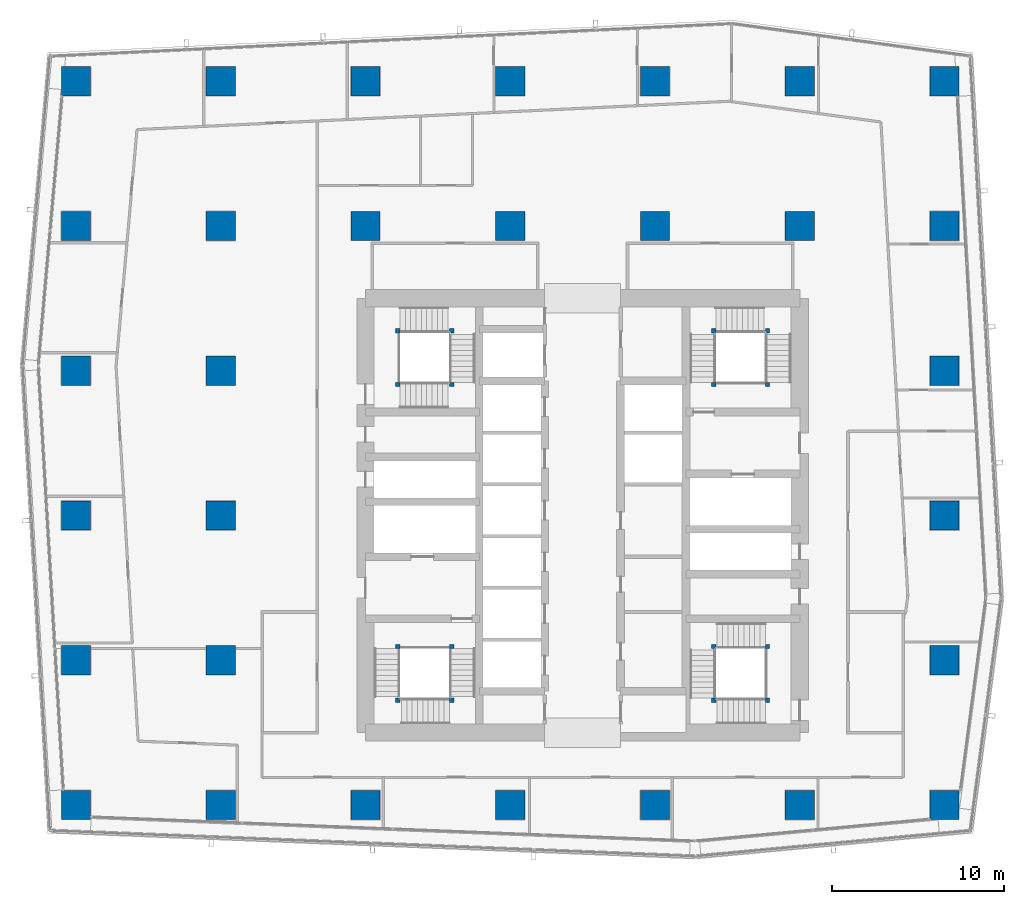
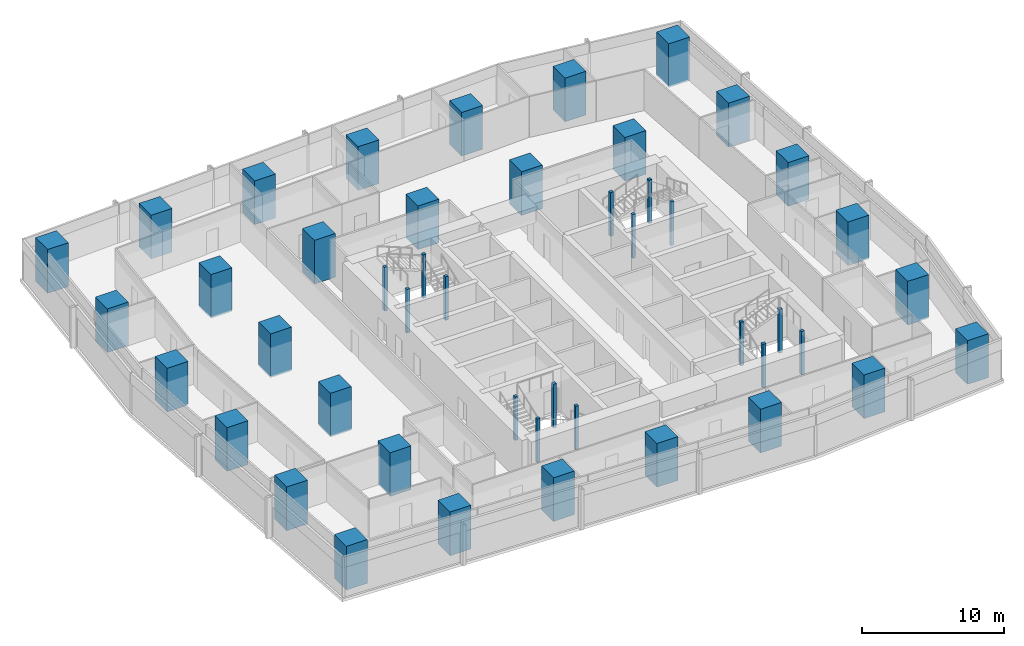
# One storey, part 1 of 39: 46 columns.
"""IFC4 building model written with IfcOpenShell, lengths in metres."""

from ifc_helpers import new_model, si_unit, direction, frame, origin, origin_2d, place, context, subcontext, project, spatial, rectangle, extrude, material, material_profile, profile_set, type_object, element, save


model = new_model("IFC4")

# Units and contexts
model_context = context("Model", 3, precision=1e-05, world=origin(), true_north=direction((0.0, 1.0)))
body_context = subcontext(model_context, "Body", "Model", "MODEL_VIEW")
ifc_project = project(units=[si_unit("LENGTHUNIT", "METRE"), si_unit("AREAUNIT", "SQUARE_METRE"), si_unit("VOLUMEUNIT", "CUBIC_METRE"), si_unit("PLANEANGLEUNIT", "RADIAN"), si_unit("MASSUNIT", "GRAM", prefix="KILO")], contexts=[model_context])

# Site, building, storey
site_placement = place(None, origin())
site = spatial("IfcSite", under=ifc_project, at=site_placement, CompositionType="ELEMENT")
building_placement = place(site_placement, origin())
building = spatial("IfcBuilding", under=site, at=building_placement, Name="Rekha Terrace Tower", CompositionType="ELEMENT")
storey_placement = place(building_placement, frame((0.0, 0.0, 183.949951171875)))
storey = spatial("IfcBuildingStorey", under=building, at=storey_placement, Name="L46", CompositionType="ELEMENT", Elevation=183.949951171875)

# Columns
ifc_material_1 = material(Name="Concrete M70", Category="concrete")
ifc_material_profile_1 = material_profile(ifc_material_1, rectangle(XDim=1.699951171875, YDim=1.699951171875, at=origin_2d()), Name="RC 1700x1700")
ifc_profile_set_1 = profile_set([ifc_material_profile_1], Name="Concrete M70")
column_type_1 = type_object("IfcColumnType", Name="C4C 1700x1700 column", PredefinedType="COLUMN", material=ifc_profile_set_1)
for number, where, z_axis, x_axis, name in (
    (1, (8.39990234375, 16.800048828125, 0.0), (0.0, 0.0, 1.0), (1.0, 0.0, 0.0), "Column C4C 2/C L46"),
    (2, (8.39990234375, 25.199951171875, 0.0), (0.0, 0.0, 1.0), (1.0, 0.0, 0.0), "Column C4C 2/D L46"),
    (3, (8.39990234375, 33.60009765625, 0.0), (0.0, 0.0, 1.0), (1.0, 0.0, 0.0), "Column C4C 2/E L46"),
    (4, (8.39990234375, 42.0, 0.0), (0.0, 0.0, 1.0), (1.0, 0.0, 0.0), "Column C4C 2/F L46"),
    (5, (8.39990234375, 50.39990234375, 0.0), (0.0, 0.0, 1.0), (1.0, 0.0, 0.0), "Column C4C 2/G L46"),
    (6, (8.39990234375, 58.800048828125, 0.0), (0.0, 0.0, 1.0), (1.0, 0.0, 0.0), "Column C4C 2/H L46"),
    (7, (16.800048828125, 16.800048828125, 0.0), (0.0, 0.0, 1.0), (1.0, 0.0, 0.0), "Column C4C 3/C L46"),
    (8, (16.800048828125, 25.199951171875, 0.0), (0.0, 0.0, 1.0), (1.0, 0.0, 0.0), "Column C4C 3/D L46"),
    (9, (16.800048828125, 33.60009765625, 0.0), (0.0, 0.0, 1.0), (1.0, 0.0, 0.0), "Column C4C 3/E L46"),
    (10, (16.800048828125, 42.0, 0.0), (0.0, 0.0, 1.0), (1.0, 0.0, 0.0), "Column C4C 3/F L46"),
    (11, (16.800048828125, 50.39990234375, 0.0), (0.0, 0.0, 1.0), (1.0, 0.0, 0.0), "Column C4C 3/G L46"),
    (12, (16.800048828125, 58.800048828125, 0.0), (0.0, 0.0, 1.0), (1.0, 0.0, 0.0), "Column C4C 3/H L46"),
    (13, (25.199951171875, 16.800048828125, 0.0), (0.0, 0.0, 1.0), (1.0, 0.0, 0.0), "Column C4C 4/C L46"),
    (14, (25.199951171875, 50.39990234375, 0.0), (0.0, 0.0, 1.0), (1.0, 0.0, 0.0), "Column C4C 4/G L46"),
    (15, (25.199951171875, 58.800048828125, 0.0), (0.0, 0.0, 1.0), (1.0, 0.0, 0.0), "Column C4C 4/H L46"),
    (16, (33.60009765625, 16.800048828125, 0.0), (0.0, 0.0, 1.0), (1.0, 0.0, 0.0), "Column C4C 5/C L46"),
    (17, (33.60009765625, 50.39990234375, 0.0), (0.0, 0.0, 1.0), (1.0, 0.0, 0.0), "Column C4C 5/G L46"),
    (18, (33.60009765625, 58.800048828125, 0.0), (0.0, 0.0, 1.0), (1.0, 0.0, 0.0), "Column C4C 5/H L46"),
    (19, (42.0, 16.800048828125, 0.0), (0.0, 0.0, 1.0), (1.0, 0.0, 0.0), "Column C4C 6/C L46"),
    (20, (42.0, 50.39990234375, 0.0), (0.0, 0.0, 1.0), (1.0, 0.0, 0.0), "Column C4C 6/G L46"),
    (21, (42.0, 58.800048828125, 0.0), (0.0, 0.0, 1.0), (1.0, 0.0, 0.0), "Column C4C 6/H L46"),
    (22, (50.39990234375, 16.800048828125, 0.0), (0.0, 0.0, 1.0), (1.0, 0.0, 0.0), "Column C4C 7/C L46"),
    (23, (50.39990234375, 50.39990234375, 0.0), (0.0, 0.0, 1.0), (1.0, 0.0, 0.0), "Column C4C 7/G L46"),
    (24, (50.39990234375, 58.800048828125, 0.0), (0.0, 0.0, 1.0), (1.0, 0.0, 0.0), "Column C4C 7/H L46"),
    (25, (58.800048828125, 16.800048828125, 0.0), (0.0, 0.0, 1.0), (1.0, 0.0, 0.0), "Column C4C 8/C L46"),
    (26, (58.800048828125, 25.199951171875, 0.0), (0.0, 0.0, 1.0), (1.0, 0.0, 0.0), "Column C4C 8/D L46"),
    (27, (58.800048828125, 33.60009765625, 0.0), (0.0, 0.0, 1.0), (1.0, 0.0, 0.0), "Column C4C 8/E L46"),
    (28, (58.800048828125, 42.0, 0.0), (0.0, 0.0, 1.0), (1.0, 0.0, 0.0), "Column C4C 8/F L46"),
    (29, (58.800048828125, 50.39990234375, 0.0), (0.0, 0.0, 1.0), (1.0, 0.0, 0.0), "Column C4C 8/G L46"),
    (30, (58.800048828125, 58.800048828125, 0.0), (0.0, 0.0, 1.0), (1.0, 0.0, 0.0), "Column C4C 8/H L46"),
):
    element("IfcColumn", number, at=place(storey_placement, frame(where, z_axis=z_axis, x_axis=x_axis)), inside=storey, type_object=column_type_1, Name=name, PredefinedType="COLUMN", context=body_context, shape_type="SweptSolid", body=[
        extrude(rectangle(XDim=1.699951171875, YDim=1.699951171875, at=origin_2d()), origin(), (0.0, 0.0, 1.0), 3.75),
    ])
ifc_material_2 = material(Name="Concrete M60", Category="concrete")
ifc_material_profile_2 = material_profile(ifc_material_2, rectangle(XDim=0.25, YDim=0.25, at=origin_2d()), Name="RC 250x250")
ifc_profile_set_2 = profile_set([ifc_material_profile_2], Name="Concrete M60")
column_type_2 = type_object("IfcColumnType", Name="NP1 250x250 stair newel post", PredefinedType="COLUMN", material=ifc_profile_set_2)
for number, where, z_axis, x_axis, name in (
    (31, (30.199951171875, 26.0, 0.0), (0.0, 0.0, 1.0), (1.0, 0.0, 0.0), "Stair newel post NP1"),
    (32, (30.199951171875, 22.875, 0.0), (0.0, 0.0, 1.0), (1.0, 0.0, 0.0), "Stair newel post NP1"),
    (33, (27.074951171875, 22.875, 0.0), (0.0, 0.0, 1.0), (1.0, 0.0, 0.0), "Stair newel post NP1"),
    (34, (27.074951171875, 26.0, 0.0), (0.0, 0.0, 1.0), (1.0, 0.0, 0.0), "Stair newel post NP1"),
    (35, (45.39990234375, 41.199951171875, 0.0), (0.0, 0.0, 1.0), (1.0, 0.0, 0.0), "Stair newel post NP1"),
    (36, (45.39990234375, 44.324951171875, 0.0), (0.0, 0.0, 1.0), (1.0, 0.0, 0.0), "Stair newel post NP1"),
    (37, (48.52490234375, 44.324951171875, 0.0), (0.0, 0.0, 1.0), (1.0, 0.0, 0.0), "Stair newel post NP1"),
    (38, (48.52490234375, 41.199951171875, 0.0), (0.0, 0.0, 1.0), (1.0, 0.0, 0.0), "Stair newel post NP1"),
    (39, (48.52490234375, 22.875, 0.0), (0.0, 0.0, 1.0), (1.0, 0.0, 0.0), "Stair newel post NP1"),
    (40, (45.39990234375, 22.875, 0.0), (0.0, 0.0, 1.0), (1.0, 0.0, 0.0), "Stair newel post NP1"),
    (41, (45.39990234375, 26.0, 0.0), (0.0, 0.0, 1.0), (1.0, 0.0, 0.0), "Stair newel post NP1"),
    (42, (48.52490234375, 26.0, 0.0), (0.0, 0.0, 1.0), (1.0, 0.0, 0.0), "Stair newel post NP1"),
    (43, (27.074951171875, 41.199951171875, 0.0), (0.0, 0.0, 1.0), (1.0, 0.0, 0.0), "Stair newel post NP1"),
    (44, (30.199951171875, 41.199951171875, 0.0), (0.0, 0.0, 1.0), (1.0, 0.0, 0.0), "Stair newel post NP1"),
    (45, (30.199951171875, 44.324951171875, 0.0), (0.0, 0.0, 1.0), (1.0, 0.0, 0.0), "Stair newel post NP1"),
    (46, (27.074951171875, 44.324951171875, 0.0), (0.0, 0.0, 1.0), (1.0, 0.0, 0.0), "Stair newel post NP1"),
):
    element("IfcColumn", number, at=place(storey_placement, frame(where, z_axis=z_axis, x_axis=x_axis)), inside=storey, type_object=column_type_2, Name=name, PredefinedType="COLUMN", context=body_context, shape_type="SweptSolid", body=[
        extrude(rectangle(XDim=0.25, YDim=0.25, at=origin_2d()), origin(), (0.0, 0.0, 1.0), 3.75),
    ])

save(model, "model.ifc")
